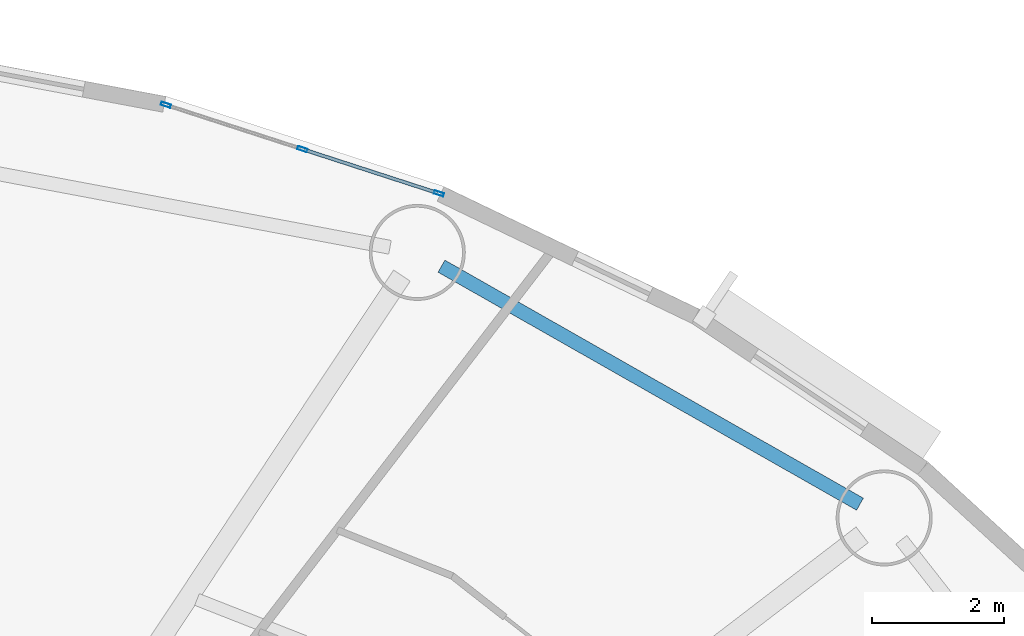
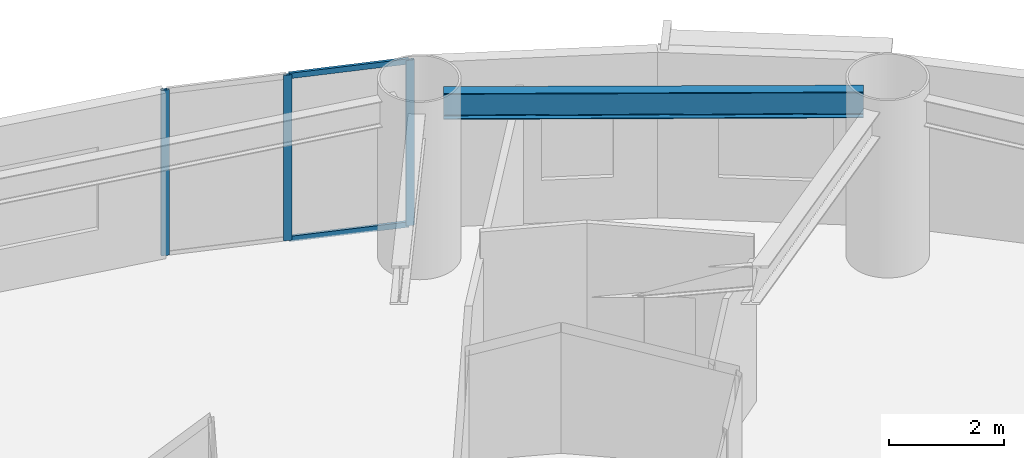
# One storey, part 5 of 18: 5 members, 1 beam, 1 element without a shape of its own.
"""IFC4 building model written with IfcOpenShell, lengths in metres."""

from ifc_helpers import new_model, si_unit, direction, frame, origin, origin_2d, place, context, subcontext, project, spatial, hollow_rectangle, i_section, extrude, source, transform, mapped, material, layer, layer_set, material_profile, profile_set, type_object, element, aggregate, save


model = new_model("IFC4")

# Units and contexts
model_context = context("Model", 3, precision=1e-05, world=origin(), true_north=direction((0.0, 1.0)))
body_context = subcontext(model_context, "Body", "Model", "MODEL_VIEW")
ifc_project = project(units=[si_unit("LENGTHUNIT", "METRE"), si_unit("AREAUNIT", "SQUARE_METRE"), si_unit("VOLUMEUNIT", "CUBIC_METRE"), si_unit("PLANEANGLEUNIT", "RADIAN"), si_unit("MASSUNIT", "GRAM", prefix="KILO")], contexts=[model_context])

# Site, building, storey
site_placement = place(None, origin())
site = spatial("IfcSite", under=ifc_project, at=site_placement, CompositionType="ELEMENT")
building_placement = place(site_placement, origin())
building = spatial("IfcBuilding", under=site, at=building_placement, Name="Linh Dai School and Residence Tower", CompositionType="ELEMENT")
storey_placement = place(building_placement, frame((0.0, 0.0, 100.949951171875)))
storey = spatial("IfcBuildingStorey", under=building, at=storey_placement, Name="L23", CompositionType="ELEMENT", Elevation=100.949951171875)

# Beam
ifc_material_1 = material(Name="Structural Steel S355JR", Category="steel")
ifc_material_profile_1 = material_profile(ifc_material_1, i_section(OverallWidth=0.2099609375, OverallDepth=0.550048828125, WebThickness=0.010986328125, FlangeThickness=0.01708984375, FilletRadius=0.02392578125, at=origin_2d()), Name="IPE 550")
ifc_profile_set_1 = profile_set([ifc_material_profile_1], Name="Structural Steel S355JR")
beam_type = type_object("IfcBeamType", Name="BM-RB55", PredefinedType="BEAM", material=ifc_profile_set_1)
beam_placement = place(storey_placement, frame((55.407470703125, 42.363037109375, 3.22509765625), z_axis=(-0.86927031475, 0.494337050902, 0.0), x_axis=(-0.494337050902, -0.86927031475, 0.0)))
element("IfcBeam", 1, at=beam_placement, inside=storey, type_object=beam_type, Name="L23 Perimeter Elliptical Ring Beam 03", PredefinedType="BEAM", context=body_context, shape_type="SweptSolid", body=[
    extrude(i_section(OverallWidth=0.2099609375, OverallDepth=0.550048828125, WebThickness=0.010986328125, FlangeThickness=0.01708984375, FilletRadius=0.02392578125, at=origin_2d()), origin(), (0.0, 0.0, 1.0), 7.270751953125),
])

# Curtain wall, members
ifc_material_2 = material(Name="Aluminium Anodised Curtain Wall", Category="aluminium")
ifc_layer = layer(ifc_material_2, 0.14990234375)
ifc_layer_set = layer_set([ifc_layer], Name="Aluminium Anodised Curtain Wall")
curtain_wall_type = type_object("IfcCurtainWallType", Name="CW-SYS-4", PredefinedType="USERDEFINED", material=ifc_layer_set)
curtain_wall_placement = place(storey_placement, origin())
curtain_wall = element("IfcCurtainWall", 2, at=curtain_wall_placement, inside=storey, type_object=curtain_wall_type, Name="L23 CW4 Curtain Wall 08", ObjectType="RIBBON CURTAIN WALL", PredefinedType="USERDEFINED")
ifc_material_3 = material(Name="Aluminium Alloy 6063-T6", Category="aluminium")
ifc_material_profile_2 = material_profile(ifc_material_3, hollow_rectangle(XDim=0.052001953125, YDim=0.114990234375, WallThickness=0.00390625, at=origin_2d()), Name="RHS 115x52x4")
ifc_profile_set_2 = profile_set([ifc_material_profile_2], Name="Aluminium Alloy 6063-T6")
member_type_1 = type_object("IfcMemberType", Name="CW-SYS-4-TRN", PredefinedType="USERDEFINED", material=ifc_profile_set_2)
shared_shape_1 = source(origin(), body_context, "Body", "SweptSolid", [
    extrude(hollow_rectangle(XDim=0.052001953125, YDim=0.114990234375, WallThickness=0.00390625, at=origin_2d()), origin(), (0.0, 0.0, 1.0), 2.1162109375),
])
member_1_placement = place(storey_placement, frame((47.01171875, 47.71630859375, 0.026123046875), z_axis=(0.95122464899, -0.308499055355, 0.0), x_axis=(0.308499055355, 0.95122464899, 0.0)))
member_1 = element("IfcMember", 3, at=member_1_placement, type_object=member_type_1, Name="CW4 transom 2.1", ObjectType="TRANSOM", PredefinedType="USERDEFINED", context=body_context, shape_type="MappedRepresentation", body=[
    mapped(shared_shape_1, transform((0.0, 0.0, 0.0), x_axis=(1.0, 0.0, 0.0), y_axis=(0.0, 1.0, 0.0), z_axis=(0.0, 0.0, 1.0), scale=1.0)),
])
member_2_placement = place(storey_placement, frame((47.01171875, 47.71630859375, 3.47412109375), z_axis=(0.95122464899, -0.308499055355, 0.0), x_axis=(0.308499055355, 0.95122464899, 0.0)))
member_2 = element("IfcMember", 4, at=member_2_placement, type_object=member_type_1, Name="CW4 transom 2.2", ObjectType="TRANSOM", PredefinedType="USERDEFINED", context=body_context, shape_type="MappedRepresentation", body=[
    mapped(shared_shape_1, transform((0.0, 0.0, 0.0), x_axis=(1.0, 0.0, 0.0), y_axis=(0.0, 1.0, 0.0), z_axis=(0.0, 0.0, 1.0), scale=1.0)),
])
ifc_material_profile_3 = material_profile(ifc_material_3, hollow_rectangle(XDim=0.052001953125, YDim=0.14990234375, WallThickness=0.00390625, at=origin_2d()), Name="RHS 150x52x4")
ifc_profile_set_3 = profile_set([ifc_material_profile_3], Name="Aluminium Alloy 6063-T6")
member_type_2 = type_object("IfcMemberType", Name="CW-SYS-4-MUL", PredefinedType="MULLION", material=ifc_profile_set_3)
shared_shape_2 = source(origin(), body_context, "Body", "SweptSolid", [
    extrude(hollow_rectangle(XDim=0.052001953125, YDim=0.14990234375, WallThickness=0.00390625, at=origin_2d()), origin(), (0.0, 0.0, 1.0), 3.5),
])
member_3_placement = place(storey_placement, frame((44.924560546875, 48.393310546875, 0.0), z_axis=(0.0, 0.0, 1.0), x_axis=(0.308522363457, 0.951217089442, 0.0)))
member_3 = element("IfcMember", 5, at=member_3_placement, type_object=member_type_2, Name="CW4 mullion 1", PredefinedType="MULLION", context=body_context, shape_type="MappedRepresentation", body=[
    mapped(shared_shape_2, transform((0.0, 0.0, 0.0), x_axis=(1.0, 0.0, 0.0), y_axis=(0.0, 1.0, 0.0), z_axis=(0.0, 0.0, 1.0), scale=1.0)),
])
member_4_placement = place(storey_placement, frame((46.98681640625, 47.724365234375, 0.0), z_axis=(0.0, 0.0, 1.0), x_axis=(0.308522363457, 0.951217089442, 0.0)))
member_4 = element("IfcMember", 6, at=member_4_placement, type_object=member_type_2, Name="CW4 mullion 2", PredefinedType="MULLION", context=body_context, shape_type="MappedRepresentation", body=[
    mapped(shared_shape_2, transform((0.0, 0.0, 0.0), x_axis=(1.0, 0.0, 0.0), y_axis=(0.0, 1.0, 0.0), z_axis=(0.0, 0.0, 1.0), scale=1.0)),
])
member_5_placement = place(storey_placement, frame((49.04931640625, 47.055419921875, 0.0), z_axis=(0.0, 0.0, 1.0), x_axis=(0.308522363457, 0.951217089442, 0.0)))
member_5 = element("IfcMember", 7, at=member_5_placement, type_object=member_type_2, Name="CW4 mullion 3", PredefinedType="MULLION", context=body_context, shape_type="MappedRepresentation", body=[
    mapped(shared_shape_2, transform((0.0, 0.0, 0.0), x_axis=(1.0, 0.0, 0.0), y_axis=(0.0, 1.0, 0.0), z_axis=(0.0, 0.0, 1.0), scale=1.0)),
])
aggregate(curtain_wall, [member_3, member_4, member_5, member_1, member_2])

save(model, "model.ifc")
